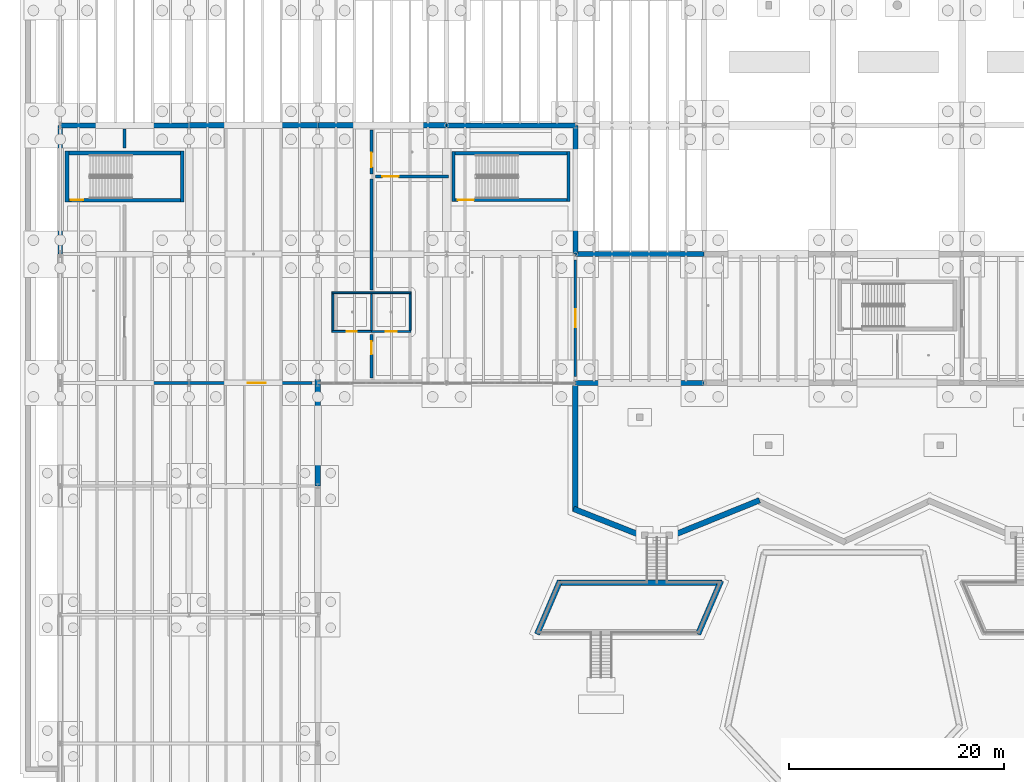
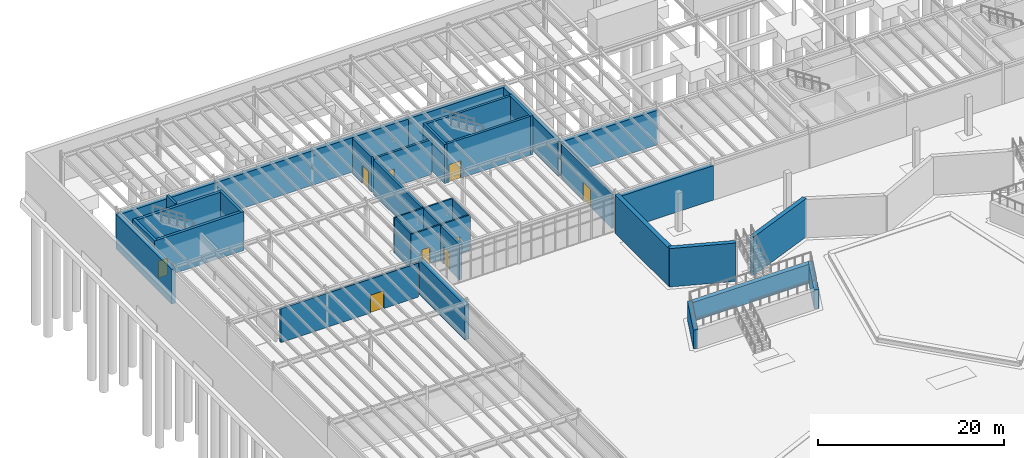
# One storey, part 35 of 67: 36 walls, 9 doors, 9 openings.
"""IFC4 building model written with IfcOpenShell, lengths in metres."""

from ifc_helpers import new_model, si_unit, direction, frame, frame_2d, origin, place, context, subcontext, project, spatial, rectangle, extrude, material, layer, layer_set, type_object, element, fill, save


model = new_model("IFC4")

# Units and contexts
model_context = context("Model", 3, precision=1e-05, world=origin(), true_north=direction((0.0, 1.0)))
body_context = subcontext(model_context, "Body", "Model", "MODEL_VIEW")
ifc_project = project(units=[si_unit("LENGTHUNIT", "METRE"), si_unit("AREAUNIT", "SQUARE_METRE"), si_unit("VOLUMEUNIT", "CUBIC_METRE"), si_unit("PLANEANGLEUNIT", "RADIAN"), si_unit("MASSUNIT", "GRAM", prefix="KILO")], contexts=[model_context])

# Site, building, storey
site_placement = place(None, origin())
site = spatial("IfcSite", under=ifc_project, at=site_placement, CompositionType="ELEMENT")
building_placement = place(site_placement, origin())
building = spatial("IfcBuilding", under=site, at=building_placement, Name="Zlatogorsky Bluff Art Gallery", CompositionType="ELEMENT")
storey_placement = place(building_placement, frame((0.0, 0.0, -5.39990234375)))
storey = spatial("IfcBuildingStorey", under=building, at=storey_placement, Name="B1", CompositionType="ELEMENT", Elevation=-5.39990234375)

# Walls
ifc_material_1 = material(Name="Concrete C35/45", Category="concrete")
ifc_layer_1 = layer(ifc_material_1, 0.449951171875)
ifc_layer_set_1 = layer_set([ifc_layer_1], Name="Exterior Wall RW-01 450mm")
wall_type_1 = type_object("IfcWallType", Name="Exterior Wall RW-01 450mm", PredefinedType="USERDEFINED", material=ifc_layer_set_1)
for number, where, z_axis, x_axis, name in (
    (1, (12.0, 108.0, 0.0), (0.0, 0.0, 1.0), (-1.0, 0.0, 0.0), "Exterior wall RW-01 B1 N 0.9"),
    (2, (0.0, 108.0, 0.0), (0.0, 0.0, 1.0), (0.0, -1.0, 0.0), "Exterior wall RW-01 B1 W 0.9"),
    (3, (48.0, 108.0, 0.0), (0.0, 0.0, 1.0), (-1.0, 0.0, 0.0), "Exterior wall RW-01 B1 N 3.9"),
    (4, (48.0, 96.0, 0.0), (0.0, 0.0, 1.0), (0.0, 1.0, 0.0), "Exterior wall RW-01 B1 E 3.9"),
    (5, (48.0, 84.0, 0.0), (0.0, 0.0, 1.0), (1.0, 0.0, 0.0), "Exterior wall RW-01 B1 S 4.8"),
    (6, (60.0, 96.0, 0.0), (0.0, 0.0, 1.0), (-1.0, 0.0, 0.0), "Exterior wall RW-01 B1 N 4.8"),
):
    element("IfcWall", number, at=place(storey_placement, frame(where, z_axis=z_axis, x_axis=x_axis)), inside=storey, type_object=wall_type_1, Name=name, ObjectType="RETAINING WALL", PredefinedType="USERDEFINED", context=body_context, shape_type="SweptSolid", body=[
        extrude(rectangle(XDim=12.0, YDim=0.449951171875, at=frame_2d((6.0, 0.0))), origin(), (0.0, 0.0, 1.0), 4.539794921875),
    ])
ifc_layer_2 = layer(ifc_material_1, 0.5)
ifc_layer_set_2 = layer_set([ifc_layer_2], Name="Exterior Wall RW-02 500mm")
wall_type_2 = type_object("IfcWallType", Name="Exterior Wall RW-02 500mm", PredefinedType="USERDEFINED", material=ifc_layer_set_2)
wall_1_placement = place(storey_placement, frame((24.0, 108.0, 0.0), z_axis=(0.0, 0.0, 1.0), x_axis=(-1.0, 0.0, 0.0)))
element("IfcWall", 7, at=wall_1_placement, inside=storey, type_object=wall_type_2, Name="Exterior wall RW-02 B1 N 1.9", ObjectType="RETAINING WALL", PredefinedType="USERDEFINED", context=body_context, shape_type="SweptSolid", body=[
    extrude(rectangle(XDim=12.0, YDim=0.5, at=frame_2d((6.0, 0.0))), origin(), (0.0, 0.0, 1.0), 4.539794921875),
])
ifc_layer_3 = layer(ifc_material_1, 0.52001953125)
ifc_layer_set_3 = layer_set([ifc_layer_3], Name="Exterior Wall RW-03 520mm")
wall_type_3 = type_object("IfcWallType", Name="Exterior Wall RW-03 520mm", PredefinedType="USERDEFINED", material=ifc_layer_set_3)
wall_2_placement = place(storey_placement, frame((48.0, 83.739990234375, 0.0), z_axis=(0.0, 0.0, 1.0), x_axis=(0.0, -1.0, 0.0)))
element("IfcWall", 8, at=wall_2_placement, inside=storey, type_object=wall_type_3, Name="Stepped river-bluff angled concrete wall RIM-01", ObjectType="RETAINING WALL", PredefinedType="USERDEFINED", context=body_context, shape_type="SweptSolid", body=[
    extrude(rectangle(XDim=11.719970703125, YDim=0.52001953125, at=frame_2d((5.85986328125, 0.0))), origin(), (0.0, 0.0, 1.0), 5.039794921875),
])
wall_3_placement = place(storey_placement, frame((47.83251953125, 72.26611328125, 0.0), z_axis=(0.0, 0.0, 1.0), x_axis=(0.930408392817, -0.366524518382, 0.0)))
element("IfcWall", 9, at=wall_3_placement, inside=storey, type_object=wall_type_3, Name="Stepped river-bluff angled concrete wall RIM-02", ObjectType="RETAINING WALL", PredefinedType="USERDEFINED", context=body_context, shape_type="SweptSolid", body=[
    extrude(rectangle(XDim=7.273681640625, YDim=0.52001953125, at=frame_2d((3.63671875, 0.0))), origin(), (0.0, 0.0, 1.0), 5.039794921875),
])
wall_4_placement = place(storey_placement, frame((56.60009765625, 69.60009765625, 0.0), z_axis=(0.0, 0.0, 1.0), x_axis=(0.926956875113, 0.375167897987, 0.0)))
element("IfcWall", 10, at=wall_4_placement, inside=storey, type_object=wall_type_3, Name="Stepped river-bluff angled concrete wall RIM-04", ObjectType="RETAINING WALL", PredefinedType="USERDEFINED", context=body_context, shape_type="SweptSolid", body=[
    extrude(rectangle(XDim=9.241943359375, YDim=0.52001953125, at=frame_2d((4.62109375, 0.0))), origin(), (0.0, 0.0, 1.0), 5.039794921875),
])
wall_5_placement = place(storey_placement, frame((59.428955078125, 60.584716796875, 0.0), z_axis=(0.0, 0.0, 1.0), x_axis=(0.395087413985, 0.918643530055, 0.0)))
element("IfcWall", 11, at=wall_5_placement, inside=storey, type_object=wall_type_3, Name="Stepped river-bluff angled concrete wall WMD-02", ObjectType="RETAINING WALL", PredefinedType="USERDEFINED", context=body_context, shape_type="SweptSolid", body=[
    extrude(rectangle(XDim=5.421875, YDim=0.52001953125, at=frame_2d((2.7109375, 0.0))), origin(), (0.0, 0.0, 1.0), 2.489990234375),
])
wall_6_placement = place(storey_placement, frame((61.679931640625, 65.39990234375, 0.0), z_axis=(0.0, 0.0, 1.0), x_axis=(-1.0, 0.0, 0.0)))
element("IfcWall", 12, at=wall_6_placement, inside=storey, type_object=wall_type_3, Name="Stepped river-bluff angled concrete wall WMD-03", ObjectType="RETAINING WALL", PredefinedType="USERDEFINED", context=body_context, shape_type="SweptSolid", body=[
    extrude(rectangle(XDim=15.35986328125, YDim=0.52001953125, at=frame_2d((7.679931640625, 0.0))), origin(), (0.0, 0.0, 1.0), 2.489990234375),
])
wall_7_placement = place(storey_placement, frame((46.571044921875, 65.5654296875, 0.0), z_axis=(0.0, 0.0, 1.0), x_axis=(-0.395087413985, -0.918643530055, 0.0)))
element("IfcWall", 13, at=wall_7_placement, inside=storey, type_object=wall_type_3, Name="Stepped river-bluff angled concrete wall WMD-04", ObjectType="RETAINING WALL", PredefinedType="USERDEFINED", context=body_context, shape_type="SweptSolid", body=[
    extrude(rectangle(XDim=5.421875, YDim=0.52001953125, at=frame_2d((2.7109375, 0.0))), origin(), (0.0, 0.0, 1.0), 2.489990234375),
])
wall_8_placement = place(storey_placement, frame((24.0, 74.39990234375, 0.0), z_axis=(0.0, 0.0, 1.0), x_axis=(0.0, 1.0, 0.0)))
element("IfcWall", 14, at=wall_8_placement, inside=storey, type_object=wall_type_3, Name="Exterior wall RW-03 B1 E 1.7", ObjectType="RETAINING WALL", PredefinedType="USERDEFINED", context=body_context, shape_type="SweptSolid", body=[
    extrude(rectangle(XDim=9.900146484375, YDim=0.52001953125, at=frame_2d((4.9501953125, 0.0))), origin(), (0.0, 0.0, 1.0), 4.539794921875),
])
wall_9_placement = place(storey_placement, frame((36.0, 108.0, 0.0), z_axis=(0.0, 0.0, 1.0), x_axis=(-1.0, 0.0, 0.0)))
element("IfcWall", 15, at=wall_9_placement, inside=storey, type_object=wall_type_3, Name="Exterior wall RW-03 B1 N 2.9", ObjectType="RETAINING WALL", PredefinedType="USERDEFINED", context=body_context, shape_type="SweptSolid", body=[
    extrude(rectangle(XDim=12.0, YDim=0.52001953125, at=frame_2d((6.0, 0.0))), origin(), (0.0, 0.0, 1.0), 4.539794921875),
])
ifc_material_2 = material(Name="Concrete C30/37", Category="concrete")
ifc_layer_4 = layer(ifc_material_2, 0.179931640625)
ifc_layer_set_4 = layer_set([ifc_layer_4], Name="Interior Wall IW-02 180mm")
wall_type_4 = type_object("IfcWallType", Name="Interior Wall IW-02 180mm", PredefinedType="PARTITIONING", material=ifc_layer_set_4)
wall_10_placement = place(storey_placement, frame((25.31005859375, 92.39990234375, 0.0), z_axis=(0.0, 0.0, 1.0), x_axis=(1.0, 0.0, 0.0)))
element("IfcWall", 16, at=wall_10_placement, inside=storey, type_object=wall_type_4, Name="Restroom enclosure partition IW-B1-WC-N", PredefinedType="PARTITIONING", context=body_context, shape_type="SweptSolid", body=[
    extrude(rectangle(XDim=7.3798828125, YDim=0.179931640625, at=frame_2d((3.68994140625, 0.0))), origin(), (0.0, 0.0, 1.0), 4.64990234375),
])

# Wall, opening, door
wall_11_placement = place(storey_placement, frame((25.31005859375, 88.800048828125, 0.0), z_axis=(0.0, 0.0, 1.0), x_axis=(1.0, 0.0, 0.0)))
wall_11 = element("IfcWall", 17, at=wall_11_placement, inside=storey, type_object=wall_type_4, Name="Restroom enclosure partition IW-B1-WC-S1", PredefinedType="PARTITIONING", context=body_context, shape_type="SweptSolid", body=[
    extrude(rectangle(XDim=3.68994140625, YDim=0.179931640625, at=frame_2d((1.844970703125, 0.0))), origin(), (0.0, 0.0, 1.0), 4.64990234375),
])
opening_1_placement = place(wall_11_placement, frame((1.364990234375, 0.0, 0.0)))
opening_1 = element("IfcOpeningElement", 18, at=opening_1_placement, cuts=wall_11, Name="Opening ID-02", PredefinedType="OPENING", context=body_context, shape_type="SweptSolid", body=[
    extrude(rectangle(XDim=0.9599609375, YDim=2.14990234375, at=frame_2d((0.47998046875, 1.074951171875))), frame((0.0, 0.099853515625, 0.0), z_axis=(0.0, -1.0, 0.0), x_axis=(1.0, 0.0, 0.0)), (0.0, 0.0, 1.0), 0.199951171875),
])
ifc_material_3 = material(Name="Anodised Aluminium and Laminated Timber", Category="wood")
door_type_1 = type_object("IfcDoorType", Name="Interior Door ID-02 960x2150", OperationType="SINGLE_SWING_LEFT", PredefinedType="DOOR", material=ifc_material_3)
door_1_placement = place(opening_1_placement, origin())
door_1 = element("IfcDoor", 19, at=door_1_placement, inside=storey, type_object=door_type_1, Name="Door ID-02 B1-WC", OperationType="SINGLE_SWING_LEFT", OverallHeight=2.14990234375, OverallWidth=0.9599609375, PredefinedType="DOOR", context=body_context, shape_type="SweptSolid", body=[
    extrude(rectangle(XDim=0.9599609375, YDim=2.14990234375, at=frame_2d((0.47998046875, 1.074951171875))), frame((0.0, 0.02490234375, 0.0), z_axis=(0.0, -1.0, 0.0), x_axis=(1.0, 0.0, 0.0)), (0.0, 0.0, 1.0), 0.050048828125),
])
fill(opening_1, door_1)

wall_12_placement = place(storey_placement, frame((29.0, 88.800048828125, 0.0), z_axis=(0.0, 0.0, 1.0), x_axis=(1.0, 0.0, 0.0)))
wall_12 = element("IfcWall", 20, at=wall_12_placement, inside=storey, type_object=wall_type_4, Name="Restroom enclosure partition IW-B1-WC-S2", PredefinedType="PARTITIONING", context=body_context, shape_type="SweptSolid", body=[
    extrude(rectangle(XDim=3.68994140625, YDim=0.179931640625, at=frame_2d((1.844970703125, 0.0))), origin(), (0.0, 0.0, 1.0), 4.64990234375),
])
opening_2_placement = place(wall_12_placement, frame((1.320068359375, 0.0, 0.0)))
opening_2 = element("IfcOpeningElement", 21, at=opening_2_placement, cuts=wall_12, Name="Opening ID-04", PredefinedType="OPENING", context=body_context, shape_type="SweptSolid", body=[
    extrude(rectangle(XDim=1.050048828125, YDim=2.199951171875, at=frame_2d((0.52490234375, 1.10009765625))), frame((0.0, 0.099853515625, 0.0), z_axis=(0.0, -1.0, 0.0), x_axis=(1.0, 0.0, 0.0)), (0.0, 0.0, 1.0), 0.199951171875),
])
door_type_2 = type_object("IfcDoorType", Name="Interior Door ID-04 1050x2200", OperationType="SINGLE_SWING_LEFT", PredefinedType="DOOR", material=ifc_material_3)
door_2_placement = place(opening_2_placement, origin())
door_2 = element("IfcDoor", 22, at=door_2_placement, inside=storey, type_object=door_type_2, Name="Door ID-04 B1-AWC", OperationType="SINGLE_SWING_RIGHT", OverallHeight=2.199951171875, OverallWidth=1.050048828125, PredefinedType="DOOR", context=body_context, shape_type="SweptSolid", body=[
    extrude(rectangle(XDim=1.050048828125, YDim=2.199951171875, at=frame_2d((0.52490234375, 1.10009765625))), frame((0.0, 0.02490234375, 0.0), z_axis=(0.0, -1.0, 0.0), x_axis=(1.0, 0.0, 0.0)), (0.0, 0.0, 1.0), 0.050048828125),
])
fill(opening_2, door_2)

# Walls
for number, where, z_axis, x_axis, name in (
    (23, (25.39990234375, 88.89990234375, 0.0), (0.0, 0.0, 1.0), (0.0, 1.0, 0.0), "Restroom enclosure partition IW-B1-WC-W"),
    (24, (32.60009765625, 88.89990234375, 0.0), (0.0, 0.0, 1.0), (0.0, 1.0, 0.0), "Restroom enclosure partition IW-B1-WC-E"),
    (25, (29.0, 88.89990234375, 0.0), (0.0, 0.0, 1.0), (0.0, 1.0, 0.0), "Restroom enclosure partition IW-B1-WC-M"),
):
    element("IfcWall", number, at=place(storey_placement, frame(where, z_axis=z_axis, x_axis=x_axis)), inside=storey, type_object=wall_type_4, Name=name, PredefinedType="PARTITIONING", context=body_context, shape_type="SweptSolid", body=[
        extrude(rectangle(XDim=3.400146484375, YDim=0.179931640625, at=frame_2d((1.7001953125, 0.0))), origin(), (0.0, 0.0, 1.0), 4.64990234375),
    ])

# Wall, opening, door
ifc_layer_5 = layer(ifc_material_1, 0.25)
ifc_layer_set_5 = layer_set([ifc_layer_5], Name="Interior Wall IW-05 250mm")
wall_type_5 = type_object("IfcWallType", Name="Interior Wall IW-05 250mm", PredefinedType="SOLIDWALL", material=ifc_layer_set_5)
wall_13_placement = place(storey_placement, frame((6.33740234375, 84.0, 0.0), z_axis=(0.0, 0.0, 1.0), x_axis=(1.0, 0.0, 0.0)))
wall_13 = element("IfcWall", 26, at=wall_13_placement, inside=storey, type_object=wall_type_5, Name="Partition IW-05 between B1-P1 and B1-S1-12", PredefinedType="SOLIDWALL", context=body_context, shape_type="SweptSolid", body=[
    extrude(rectangle(XDim=17.105224609375, YDim=0.25, at=frame_2d((8.552734375, 0.0))), origin(), (0.0, 0.0, 1.0), 4.469970703125),
])
opening_3_placement = place(wall_13_placement, frame((11.14892578125, 0.0, 0.0)))
opening_3 = element("IfcOpeningElement", 27, at=opening_3_placement, cuts=wall_13, Name="Opening ID-10", PredefinedType="OPENING", context=body_context, shape_type="SweptSolid", body=[
    extrude(rectangle(XDim=1.64990234375, YDim=2.35009765625, at=frame_2d((0.824951171875, 1.175048828125))), frame((0.0, 0.135009765625, 0.0), z_axis=(0.0, -1.0, 0.0), x_axis=(1.0, 0.0, 0.0)), (0.0, 0.0, 1.0), 0.27001953125),
])
door_type_3 = type_object("IfcDoorType", Name="Interior Door ID-10 1650x2350", OperationType="DOUBLE_DOOR_SINGLE_SWING", PredefinedType="DOOR", material=ifc_material_3)
door_3_placement = place(opening_3_placement, origin())
door_3 = element("IfcDoor", 28, at=door_3_placement, inside=storey, type_object=door_type_3, Name="Door ID-10 B1-P1-B1-S1-12", OperationType="DOUBLE_DOOR_SINGLE_SWING", OverallHeight=2.35009765625, OverallWidth=1.64990234375, PredefinedType="DOOR", context=body_context, shape_type="SweptSolid", body=[
    extrude(rectangle(XDim=1.64990234375, YDim=2.35009765625, at=frame_2d((0.824951171875, 1.175048828125))), frame((0.0, 0.02490234375, 0.0), z_axis=(0.0, -1.0, 0.0), x_axis=(1.0, 0.0, 0.0)), (0.0, 0.0, 1.0), 0.050048828125),
])
fill(opening_3, door_3)

wall_14_placement = place(storey_placement, frame((29.0, 103.4560546875, 0.0), z_axis=(0.0, 0.0, 1.0), x_axis=(0.0, 1.0, 0.0)))
wall_14 = element("IfcWall", 29, at=wall_14_placement, inside=storey, type_object=wall_type_5, Name="Partition IW-05 between B1-S1-12 and B1-S1-14", PredefinedType="SOLIDWALL", context=body_context, shape_type="SweptSolid", body=[
    extrude(rectangle(XDim=4.093994140625, YDim=0.25, at=frame_2d((2.046875, 0.0))), origin(), (0.0, 0.0, 1.0), 4.64990234375),
])
opening_4_placement = place(wall_14_placement, frame((0.64990234375, 0.0, 0.0)))
opening_4 = element("IfcOpeningElement", 30, at=opening_4_placement, cuts=wall_14, Name="Opening ID-08", PredefinedType="OPENING", context=body_context, shape_type="SweptSolid", body=[
    extrude(rectangle(XDim=1.35009765625, YDim=2.300048828125, at=frame_2d((0.675048828125, 1.14990234375))), frame((0.0, 0.135009765625, 0.0), z_axis=(0.0, -1.0, 0.0), x_axis=(1.0, 0.0, 0.0)), (0.0, 0.0, 1.0), 0.27001953125),
])
door_type_4 = type_object("IfcDoorType", Name="Interior Door ID-08 1350x2300", OperationType="DOUBLE_SWING_LEFT", PredefinedType="DOOR", material=ifc_material_3)
door_4_placement = place(opening_4_placement, origin())
door_4 = element("IfcDoor", 31, at=door_4_placement, inside=storey, type_object=door_type_4, Name="Door ID-08 B1-S1-12-B1-S1-14", OperationType="DOUBLE_SWING_LEFT", OverallHeight=2.300048828125, OverallWidth=1.35009765625, PredefinedType="DOOR", context=body_context, shape_type="SweptSolid", body=[
    extrude(rectangle(XDim=1.35009765625, YDim=2.300048828125, at=frame_2d((0.675048828125, 1.14990234375))), frame((0.0, 0.02490234375, 0.0), z_axis=(0.0, -1.0, 0.0), x_axis=(1.0, 0.0, 0.0)), (0.0, 0.0, 1.0), 0.050048828125),
])
fill(opening_4, door_4)

wall_15_placement = place(storey_placement, frame((48.0, 84.594482421875, 0.0), z_axis=(0.0, 0.0, 1.0), x_axis=(0.0, 1.0, 0.0)))
wall_15 = element("IfcWall", 32, at=wall_15_placement, inside=storey, type_object=wall_type_5, Name="Partition IW-05 between B1-S1-13 and B1-C1-11", PredefinedType="SOLIDWALL", context=body_context, shape_type="SweptSolid", body=[
    extrude(rectangle(XDim=10.84814453125, YDim=0.25, at=frame_2d((5.424072265625, 0.0))), origin(), (0.0, 0.0, 1.0), 4.52978515625),
])
opening_5_placement = place(wall_15_placement, frame((4.59912109375, 0.0, 0.0)))
opening_5 = element("IfcOpeningElement", 33, at=opening_5_placement, cuts=wall_15, Name="Opening ID-10", PredefinedType="OPENING", context=body_context, shape_type="SweptSolid", body=[
    extrude(rectangle(XDim=1.64990234375, YDim=2.35009765625, at=frame_2d((0.824951171875, 1.175048828125))), frame((0.0, 0.135009765625, 0.0), z_axis=(0.0, -1.0, 0.0), x_axis=(1.0, 0.0, 0.0)), (0.0, 0.0, 1.0), 0.27001953125),
])
door_5_placement = place(opening_5_placement, origin())
door_5 = element("IfcDoor", 34, at=door_5_placement, inside=storey, type_object=door_type_3, Name="Door ID-10 B1-S1-13-B1-C1-11", OperationType="DOUBLE_DOOR_SINGLE_SWING", OverallHeight=2.35009765625, OverallWidth=1.64990234375, PredefinedType="DOOR", context=body_context, shape_type="SweptSolid", body=[
    extrude(rectangle(XDim=1.64990234375, YDim=2.35009765625, at=frame_2d((0.824951171875, 1.175048828125))), frame((0.0, 0.02490234375, 0.0), z_axis=(0.0, -1.0, 0.0), x_axis=(1.0, 0.0, 0.0)), (0.0, 0.0, 1.0), 0.050048828125),
])
fill(opening_5, door_5)

# Wall
ifc_layer_6 = layer(ifc_material_1, 0.280029296875)
ifc_layer_set_6 = layer_set([ifc_layer_6], Name="Interior Wall IW-06 280mm")
wall_type_6 = type_object("IfcWallType", Name="Interior Wall IW-06 280mm", PredefinedType="SOLIDWALL", material=ifc_layer_set_6)
wall_16_placement = place(storey_placement, frame((6.0, 105.8701171875, 0.0), z_axis=(0.0, 0.0, 1.0), x_axis=(0.0, 1.0, 0.0)))
element("IfcWall", 35, at=wall_16_placement, inside=storey, type_object=wall_type_6, Name="Partition IW-06 between B1-S1-11 and B1-S1-12-S2", PredefinedType="SOLIDWALL", context=body_context, shape_type="SweptSolid", body=[
    extrude(rectangle(XDim=1.7998046875, YDim=0.280029296875, at=frame_2d((0.89990234375, 0.0))), origin(), (0.0, 0.0, 1.0), 5.099853515625),
])

# Wall, opening, door
wall_17_placement = place(storey_placement, frame((29.0, 84.449951171875, 0.0), z_axis=(0.0, 0.0, 1.0), x_axis=(0.0, 1.0, 0.0)))
wall_17 = element("IfcWall", 36, at=wall_17_placement, inside=storey, type_object=wall_type_6, Name="Partition IW-06 between B1-S1-12 and B1-S1-13-S1", PredefinedType="SOLIDWALL", context=body_context, shape_type="SweptSolid", body=[
    extrude(rectangle(XDim=4.069091796875, YDim=0.280029296875, at=frame_2d((2.03466796875, 0.0))), origin(), (0.0, 0.0, 1.0), 4.64990234375),
])
opening_6_placement = place(wall_17_placement, frame((2.218994140625, 0.0, 0.0)))
opening_6 = element("IfcOpeningElement", 37, at=opening_6_placement, cuts=wall_17, Name="Opening ID-07", PredefinedType="OPENING", context=body_context, shape_type="SweptSolid", body=[
    extrude(rectangle(XDim=1.199951171875, YDim=2.300048828125, at=frame_2d((0.60009765625, 1.14990234375))), frame((0.0, 0.14990234375, 0.0), z_axis=(0.0, -1.0, 0.0), x_axis=(1.0, 0.0, 0.0)), (0.0, 0.0, 1.0), 0.300048828125),
])
door_type_5 = type_object("IfcDoorType", Name="Interior Door ID-07 1200x2300", OperationType="SINGLE_SWING_LEFT", PredefinedType="DOOR", material=ifc_material_3)
door_6_placement = place(opening_6_placement, origin())
door_6 = element("IfcDoor", 38, at=door_6_placement, inside=storey, type_object=door_type_5, Name="Door ID-07 B1-S1-12-B1-S1-13-S1", OperationType="SINGLE_SWING_RIGHT", OverallHeight=2.300048828125, OverallWidth=1.199951171875, PredefinedType="DOOR", context=body_context, shape_type="SweptSolid", body=[
    extrude(rectangle(XDim=1.199951171875, YDim=2.300048828125, at=frame_2d((0.60009765625, 1.14990234375))), frame((0.0, 0.02490234375, 0.0), z_axis=(0.0, -1.0, 0.0), x_axis=(1.0, 0.0, 0.0)), (0.0, 0.0, 1.0), 0.050048828125),
])
fill(opening_6, door_6)

# Wall
wall_18_placement = place(storey_placement, frame((29.0, 92.680908203125, 0.0), z_axis=(0.0, 0.0, 1.0), x_axis=(0.0, 1.0, 0.0)))
element("IfcWall", 39, at=wall_18_placement, inside=storey, type_object=wall_type_6, Name="Partition IW-06 between B1-S1-12 and B1-S1-13-S2", PredefinedType="SOLIDWALL", context=body_context, shape_type="SweptSolid", body=[
    extrude(rectangle(XDim=10.31298828125, YDim=0.280029296875, at=frame_2d((5.156494140625, 0.0))), origin(), (0.0, 0.0, 1.0), 4.5498046875),
])

# Wall, opening, door
wall_19_placement = place(storey_placement, frame((29.3701171875, 103.22509765625, 0.0), z_axis=(0.0, 0.0, 1.0), x_axis=(1.0, 0.0, 0.0)))
wall_19 = element("IfcWall", 40, at=wall_19_placement, inside=storey, type_object=wall_type_6, Name="Partition IW-06 between B1-S1-13 and B1-S1-14", PredefinedType="SOLIDWALL", context=body_context, shape_type="SweptSolid", body=[
    extrude(rectangle(XDim=6.809814453125, YDim=0.280029296875, at=frame_2d((3.40478515625, 0.0))), origin(), (0.0, 0.0, 1.0), 4.60986328125),
])
opening_7_placement = place(wall_19_placement, frame((0.64990234375, 0.0, 0.0)))
opening_7 = element("IfcOpeningElement", 41, at=opening_7_placement, cuts=wall_19, Name="Opening ID-09", PredefinedType="OPENING", context=body_context, shape_type="SweptSolid", body=[
    extrude(rectangle(XDim=1.5, YDim=2.35009765625, at=frame_2d((0.75, 1.175048828125))), frame((0.0, 0.14990234375, 0.0), z_axis=(0.0, -1.0, 0.0), x_axis=(1.0, 0.0, 0.0)), (0.0, 0.0, 1.0), 0.300048828125),
])
door_type_6 = type_object("IfcDoorType", Name="Interior Door ID-09 1500x2350", OperationType="DOUBLE_DOOR_SINGLE_SWING", PredefinedType="DOOR", material=ifc_material_3)
door_7_placement = place(opening_7_placement, origin())
door_7 = element("IfcDoor", 42, at=door_7_placement, inside=storey, type_object=door_type_6, Name="Door ID-09 B1-S1-13-B1-S1-14", OperationType="DOUBLE_DOOR_SINGLE_SWING", OverallHeight=2.35009765625, OverallWidth=1.5, PredefinedType="DOOR", context=body_context, shape_type="SweptSolid", body=[
    extrude(rectangle(XDim=1.5, YDim=2.35009765625, at=frame_2d((0.75, 1.175048828125))), frame((0.0, 0.02490234375, 0.0), z_axis=(0.0, -1.0, 0.0), x_axis=(1.0, 0.0, 0.0)), (0.0, 0.0, 1.0), 0.050048828125),
])
fill(opening_7, door_7)

ifc_layer_7 = layer(ifc_material_1, 0.300048828125)
ifc_layer_set_7 = layer_set([ifc_layer_7], Name="Interior Wall SW-01 300mm")
wall_type_7 = type_object("IfcWallType", Name="Interior Wall SW-01 300mm", PredefinedType="SHEAR", material=ifc_layer_set_7)
wall_20_placement = place(storey_placement, frame((36.5, 101.050048828125, 0.0), z_axis=(0.0, 0.0, 1.0), x_axis=(1.0, 0.0, 0.0)))
wall_20 = element("IfcWall", 43, at=wall_20_placement, inside=storey, type_object=wall_type_7, Name="Stair ST-07 enclosure wall B1 W0", PredefinedType="SHEAR", context=body_context, shape_type="SweptSolid", body=[
    extrude(rectangle(XDim=11.0, YDim=0.300048828125, at=frame_2d((5.5, 0.0))), origin(), (0.0, 0.0, 1.0), 5.119873046875),
])
opening_8_placement = place(wall_20_placement, frame((0.550048828125, 0.0, 0.0)))
opening_8 = element("IfcOpeningElement", 44, at=opening_8_placement, cuts=wall_20, Name="Opening FD-03", PredefinedType="OPENING", context=body_context, shape_type="SweptSolid", body=[
    extrude(rectangle(XDim=1.47998046875, YDim=2.300048828125, at=frame_2d((0.739990234375, 1.14990234375))), frame((0.0, 0.159912109375, 0.0), z_axis=(0.0, -1.0, 0.0), x_axis=(1.0, 0.0, 0.0)), (0.0, 0.0, 1.0), 0.320068359375),
])
door_type_7 = type_object("IfcDoorType", Name="Interior Door FD-03 1480x2300", OperationType="DOUBLE_DOOR_SINGLE_SWING", PredefinedType="DOOR", material=ifc_material_3)
door_8_placement = place(opening_8_placement, origin())
door_8 = element("IfcDoor", 45, at=door_8_placement, inside=storey, type_object=door_type_7, Name="Stair ST-07 fire door B1", OperationType="DOUBLE_DOOR_SINGLE_SWING", OverallHeight=2.300048828125, OverallWidth=1.47998046875, PredefinedType="DOOR", context=body_context, shape_type="SweptSolid", body=[
    extrude(rectangle(XDim=1.47998046875, YDim=2.300048828125, at=frame_2d((0.739990234375, 1.14990234375))), frame((0.0, 0.02490234375, 0.0), z_axis=(0.0, -1.0, 0.0), x_axis=(1.0, 0.0, 0.0)), (0.0, 0.0, 1.0), 0.050048828125),
])
fill(opening_8, door_8)

# Walls
wall_21_placement = place(storey_placement, frame((47.35009765625, 100.89990234375, 0.0), z_axis=(0.0, 0.0, 1.0), x_axis=(0.0, 1.0, 0.0)))
element("IfcWall", 46, at=wall_21_placement, inside=storey, type_object=wall_type_7, Name="Stair ST-07 enclosure wall B1 FEND", PredefinedType="SHEAR", context=body_context, shape_type="SweptSolid", body=[
    extrude(rectangle(XDim=4.650146484375, YDim=0.300048828125, at=frame_2d((2.3251953125, 0.0))), origin(), (0.0, 0.0, 1.0), 5.119873046875),
])
wall_22_placement = place(storey_placement, frame((47.5, 105.39990234375, 0.0), z_axis=(0.0, 0.0, 1.0), x_axis=(-1.0, 0.0, 0.0)))
element("IfcWall", 47, at=wall_22_placement, inside=storey, type_object=wall_type_7, Name="Stair ST-07 enclosure wall B1 W1", PredefinedType="SHEAR", context=body_context, shape_type="SweptSolid", body=[
    extrude(rectangle(XDim=11.0, YDim=0.300048828125, at=frame_2d((5.5, 0.0))), origin(), (0.0, 0.0, 1.0), 5.119873046875),
])
wall_23_placement = place(storey_placement, frame((36.64990234375, 105.550048828125, 0.0), z_axis=(0.0, 0.0, 1.0), x_axis=(0.0, -1.0, 0.0)))
element("IfcWall", 48, at=wall_23_placement, inside=storey, type_object=wall_type_7, Name="Stair ST-07 enclosure wall B1 LEND", PredefinedType="SHEAR", context=body_context, shape_type="SweptSolid", body=[
    extrude(rectangle(XDim=4.650146484375, YDim=0.300048828125, at=frame_2d((2.3251953125, 0.0))), origin(), (0.0, 0.0, 1.0), 5.119873046875),
])

# Wall, opening, door
ifc_layer_8 = layer(ifc_material_1, 0.35009765625)
ifc_layer_set_8 = layer_set([ifc_layer_8], Name="Interior Wall SW-02 350mm")
wall_type_8 = type_object("IfcWallType", Name="Interior Wall SW-02 350mm", PredefinedType="SHEAR", material=ifc_layer_set_8)
wall_24_placement = place(storey_placement, frame((0.449951171875, 101.02490234375, 0.0), z_axis=(0.0, 0.0, 1.0), x_axis=(1.0, 0.0, 0.0)))
wall_24 = element("IfcWall", 49, at=wall_24_placement, inside=storey, type_object=wall_type_8, Name="Stair ST-05 enclosure wall B1 W0", PredefinedType="SHEAR", context=body_context, shape_type="SweptSolid", body=[
    extrude(rectangle(XDim=11.10009765625, YDim=0.35009765625, at=frame_2d((5.550048828125, 0.0))), origin(), (0.0, 0.0, 1.0), 5.119873046875),
])
opening_9_placement = place(wall_24_placement, frame((0.550048828125, 0.0, 0.0)))
opening_9 = element("IfcOpeningElement", 50, at=opening_9_placement, cuts=wall_24, Name="Opening FD-01", PredefinedType="OPENING", context=body_context, shape_type="SweptSolid", body=[
    extrude(rectangle(XDim=1.1201171875, YDim=2.199951171875, at=frame_2d((0.56005859375, 1.10009765625))), frame((0.0, 0.18505859375, 0.0), z_axis=(0.0, -1.0, 0.0), x_axis=(1.0, 0.0, 0.0)), (0.0, 0.0, 1.0), 0.3701171875),
])
door_type_8 = type_object("IfcDoorType", Name="Interior Door FD-01 1120x2200", OperationType="SINGLE_SWING_LEFT", PredefinedType="DOOR", material=ifc_material_3)
door_9_placement = place(opening_9_placement, origin())
door_9 = element("IfcDoor", 51, at=door_9_placement, inside=storey, type_object=door_type_8, Name="Stair ST-05 fire door B1", OperationType="SINGLE_SWING_RIGHT", OverallHeight=2.199951171875, OverallWidth=1.1201171875, PredefinedType="DOOR", context=body_context, shape_type="SweptSolid", body=[
    extrude(rectangle(XDim=1.1201171875, YDim=2.199951171875, at=frame_2d((0.56005859375, 1.10009765625))), frame((0.0, 0.02490234375, 0.0), z_axis=(0.0, -1.0, 0.0), x_axis=(1.0, 0.0, 0.0)), (0.0, 0.0, 1.0), 0.050048828125),
])
fill(opening_9, door_9)

# Walls
wall_25_placement = place(storey_placement, frame((11.375, 100.85009765625, 0.0), z_axis=(0.0, 0.0, 1.0), x_axis=(0.0, 1.0, 0.0)))
element("IfcWall", 52, at=wall_25_placement, inside=storey, type_object=wall_type_8, Name="Stair ST-05 enclosure wall B1 FEND", PredefinedType="SHEAR", context=body_context, shape_type="SweptSolid", body=[
    extrude(rectangle(XDim=4.75, YDim=0.35009765625, at=frame_2d((2.375, 0.0))), origin(), (0.0, 0.0, 1.0), 5.119873046875),
])
wall_26_placement = place(storey_placement, frame((11.550048828125, 105.425048828125, 0.0), z_axis=(0.0, 0.0, 1.0), x_axis=(-1.0, 0.0, 0.0)))
element("IfcWall", 53, at=wall_26_placement, inside=storey, type_object=wall_type_8, Name="Stair ST-05 enclosure wall B1 W1", PredefinedType="SHEAR", context=body_context, shape_type="SweptSolid", body=[
    extrude(rectangle(XDim=11.10009765625, YDim=0.35009765625, at=frame_2d((5.550048828125, 0.0))), origin(), (0.0, 0.0, 1.0), 5.119873046875),
])
wall_27_placement = place(storey_placement, frame((0.625, 105.60009765625, 0.0), z_axis=(0.0, 0.0, 1.0), x_axis=(0.0, -1.0, 0.0)))
element("IfcWall", 54, at=wall_27_placement, inside=storey, type_object=wall_type_8, Name="Stair ST-05 enclosure wall B1 LEND", PredefinedType="SHEAR", context=body_context, shape_type="SweptSolid", body=[
    extrude(rectangle(XDim=4.75, YDim=0.35009765625, at=frame_2d((2.375, 0.0))), origin(), (0.0, 0.0, 1.0), 5.119873046875),
])

save(model, "model.ifc")
